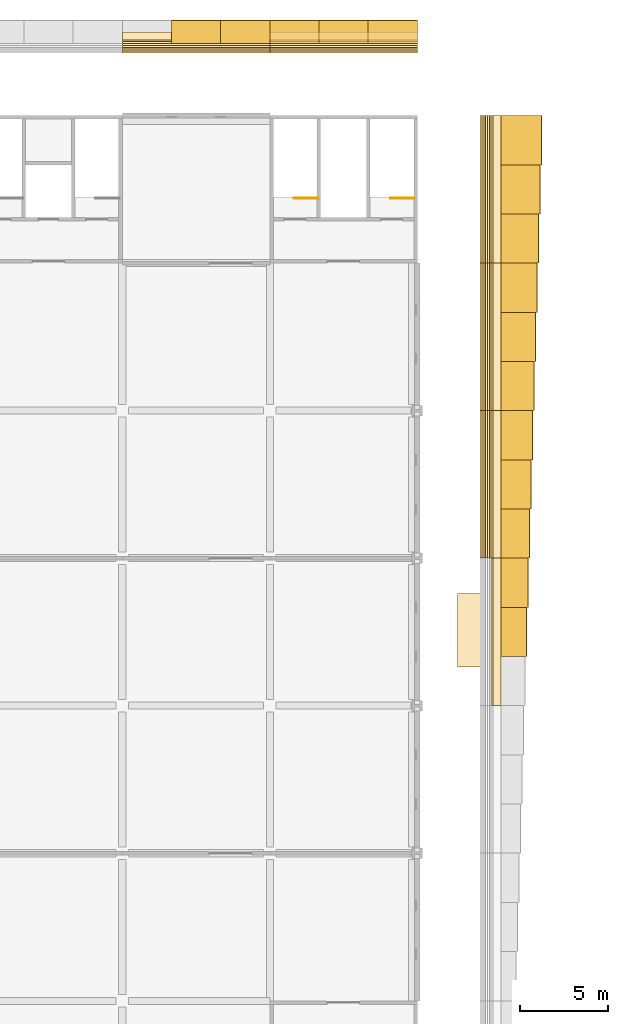
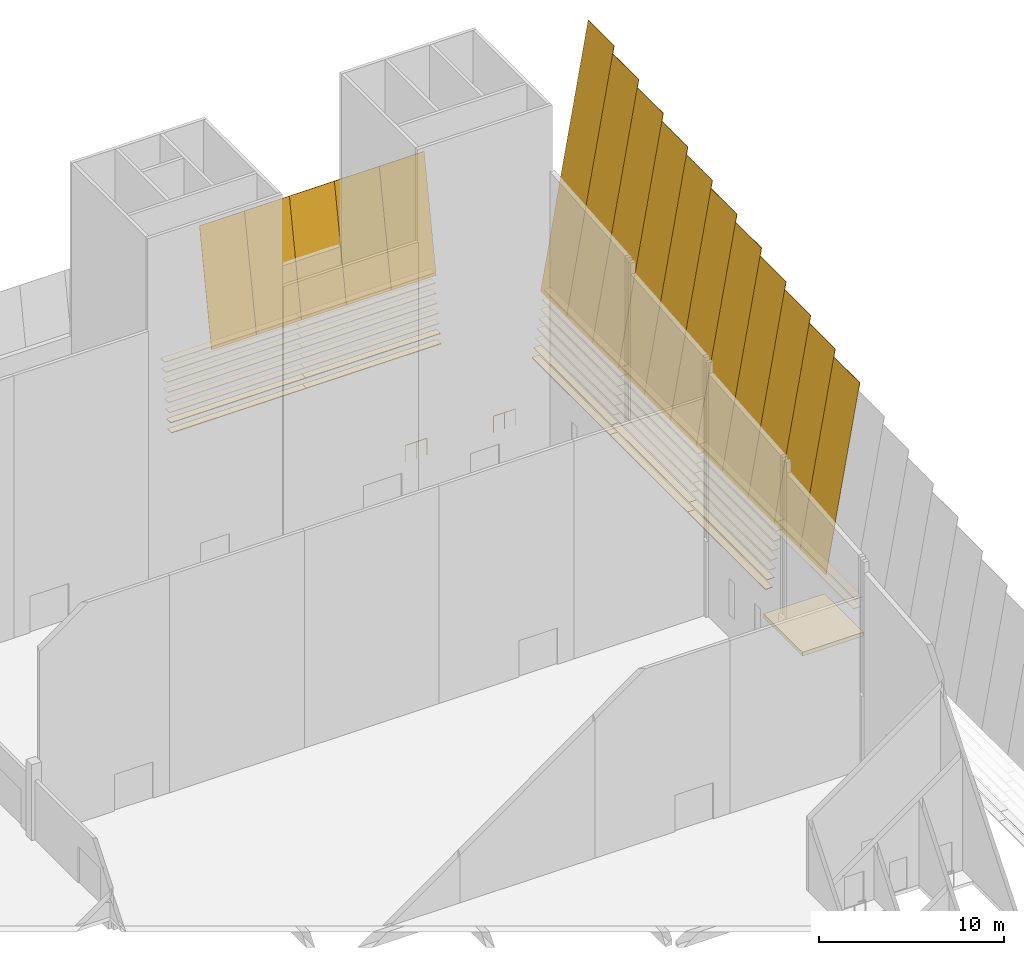
# One storey, part 59 of 59: 59 coverings, 2 railings.
"""IFC4 building model written with IfcOpenShell, lengths in metres."""

from ifc_helpers import new_model, si_unit, direction, frame, origin, origin_2d, place, context, subcontext, project, spatial, polyline, rectangle, circle, outline, extrude, material, layer, layer_set, material_profile, profile_set, type_object, element, save


model = new_model("IFC4")

# Units and contexts
model_context = context("Model", 3, precision=1e-05, world=origin(), true_north=direction((0.0, 1.0)))
body_context = subcontext(model_context, "Body", "Model", "MODEL_VIEW")
ifc_project = project(units=[si_unit("LENGTHUNIT", "METRE"), si_unit("AREAUNIT", "SQUARE_METRE"), si_unit("VOLUMEUNIT", "CUBIC_METRE"), si_unit("PLANEANGLEUNIT", "RADIAN"), si_unit("MASSUNIT", "GRAM", prefix="KILO")], contexts=[model_context])

# Site, building, storey
site_placement = place(None, origin())
site = spatial("IfcSite", under=ifc_project, at=site_placement, CompositionType="ELEMENT")
building_placement = place(site_placement, origin())
building = spatial("IfcBuilding", under=site, at=building_placement, Name="Almond Square Museum", CompositionType="ELEMENT")
storey_placement = place(building_placement, frame((0.0, 0.0, 25.0)))
storey = spatial("IfcBuildingStorey", under=building, at=storey_placement, Name="L04", CompositionType="ELEMENT", Elevation=25.0)

# Coverings
ifc_material_1 = material(Name="Timber deck and membrane roofing", Category="wood")
ifc_layer_1 = layer(ifc_material_1, 0.25)
ifc_layer_set_1 = layer_set([ifc_layer_1], Name="Timber deck and membrane roofing")
covering_type_1 = type_object("IfcCoveringType", Name="Head house cap, timber and membrane", PredefinedType="CLADDING", material=ifc_layer_set_1)
covering_1_placement = place(storey_placement, frame((153.0, 79.89990234375, 0.12744140625), z_axis=(0.0, 0.0, 1.0), x_axis=(1.0, 0.0, 0.0)))
element("IfcCovering", 1, at=covering_1_placement, inside=storey, type_object=covering_type_1, Name="Head house roof cap E1", PredefinedType="CLADDING", context=body_context, shape_type="SweptSolid", body=[
    extrude(rectangle(XDim=3.800048828125, YDim=4.199951171875, at=origin_2d()), origin(), (0.0, 0.0, 1.0), 0.25),
])
ifc_material_2 = material(Name="Cedar timber louvre board", Category="wood")
ifc_material_profile = material_profile(ifc_material_2, rectangle(XDim=0.449951171875, YDim=0.050048828125, at=origin_2d()))
ifc_profile_set = profile_set([ifc_material_profile], Name="Cedar timber louvre board")
covering_type_2 = type_object("IfcCoveringType", Name="Louvre board 450 x 50", PredefinedType="CLADDING", material=ifc_profile_set)
covering_2_placement = place(storey_placement, frame((132.0, 112.997802734375, 0.300048828125), z_axis=(1.0, 0.0, 0.0), x_axis=(0.0, 1.0, 0.0)))
element("IfcCovering", 2, at=covering_2_placement, inside=storey, type_object=covering_type_2, Name="Louvre board N31.04", PredefinedType="CLADDING", context=body_context, shape_type="SweptSolid", body=[
    extrude(rectangle(XDim=0.449951171875, YDim=0.050048828125, at=origin_2d()), origin(), (0.0, 0.0, 1.0), 8.39990234375),
])
covering_3_placement = place(storey_placement, frame((140.39990234375, 112.997802734375, 0.300048828125), z_axis=(1.0, 0.0, 0.0), x_axis=(0.0, 1.0, 0.0)))
element("IfcCovering", 3, at=covering_3_placement, inside=storey, type_object=covering_type_2, Name="Louvre board N31.05", PredefinedType="CLADDING", context=body_context, shape_type="SweptSolid", body=[
    extrude(rectangle(XDim=0.449951171875, YDim=0.050048828125, at=origin_2d()), origin(), (0.0, 0.0, 1.0), 8.400146484375),
])
covering_4_placement = place(storey_placement, frame((132.0, 113.103515625, 0.89990234375), z_axis=(1.0, 0.0, 0.0), x_axis=(0.0, 1.0, 0.0)))
element("IfcCovering", 4, at=covering_4_placement, inside=storey, type_object=covering_type_2, Name="Louvre board N32.04", PredefinedType="CLADDING", context=body_context, shape_type="SweptSolid", body=[
    extrude(rectangle(XDim=0.449951171875, YDim=0.050048828125, at=origin_2d()), origin(), (0.0, 0.0, 1.0), 8.39990234375),
])
covering_5_placement = place(storey_placement, frame((140.39990234375, 113.103515625, 0.89990234375), z_axis=(1.0, 0.0, 0.0), x_axis=(0.0, 1.0, 0.0)))
element("IfcCovering", 5, at=covering_5_placement, inside=storey, type_object=covering_type_2, Name="Louvre board N32.05", PredefinedType="CLADDING", context=body_context, shape_type="SweptSolid", body=[
    extrude(rectangle(XDim=0.449951171875, YDim=0.050048828125, at=origin_2d()), origin(), (0.0, 0.0, 1.0), 8.400146484375),
])
covering_6_placement = place(storey_placement, frame((132.0, 113.209228515625, 1.5), z_axis=(1.0, 0.0, 0.0), x_axis=(0.0, 1.0, 0.0)))
element("IfcCovering", 6, at=covering_6_placement, inside=storey, type_object=covering_type_2, Name="Louvre board N33.04", PredefinedType="CLADDING", context=body_context, shape_type="SweptSolid", body=[
    extrude(rectangle(XDim=0.449951171875, YDim=0.050048828125, at=origin_2d()), origin(), (0.0, 0.0, 1.0), 8.39990234375),
])
covering_7_placement = place(storey_placement, frame((140.39990234375, 113.209228515625, 1.5), z_axis=(1.0, 0.0, 0.0), x_axis=(0.0, 1.0, 0.0)))
element("IfcCovering", 7, at=covering_7_placement, inside=storey, type_object=covering_type_2, Name="Louvre board N33.05", PredefinedType="CLADDING", context=body_context, shape_type="SweptSolid", body=[
    extrude(rectangle(XDim=0.449951171875, YDim=0.050048828125, at=origin_2d()), origin(), (0.0, 0.0, 1.0), 8.400146484375),
])
covering_8_placement = place(storey_placement, frame((132.0, 113.315185546875, 2.10009765625), z_axis=(1.0, 0.0, 0.0), x_axis=(0.0, 1.0, 0.0)))
element("IfcCovering", 8, at=covering_8_placement, inside=storey, type_object=covering_type_2, Name="Louvre board N34.04", PredefinedType="CLADDING", context=body_context, shape_type="SweptSolid", body=[
    extrude(rectangle(XDim=0.449951171875, YDim=0.050048828125, at=origin_2d()), origin(), (0.0, 0.0, 1.0), 8.39990234375),
])
covering_9_placement = place(storey_placement, frame((140.39990234375, 113.315185546875, 2.10009765625), z_axis=(1.0, 0.0, 0.0), x_axis=(0.0, 1.0, 0.0)))
element("IfcCovering", 9, at=covering_9_placement, inside=storey, type_object=covering_type_2, Name="Louvre board N34.05", PredefinedType="CLADDING", context=body_context, shape_type="SweptSolid", body=[
    extrude(rectangle(XDim=0.449951171875, YDim=0.050048828125, at=origin_2d()), origin(), (0.0, 0.0, 1.0), 8.400146484375),
])
covering_10_placement = place(storey_placement, frame((132.0, 113.4208984375, 2.699951171875), z_axis=(1.0, 0.0, 0.0), x_axis=(0.0, 1.0, 0.0)))
element("IfcCovering", 10, at=covering_10_placement, inside=storey, type_object=covering_type_2, Name="Louvre board N35.04", PredefinedType="CLADDING", context=body_context, shape_type="SweptSolid", body=[
    extrude(rectangle(XDim=0.449951171875, YDim=0.050048828125, at=origin_2d()), origin(), (0.0, 0.0, 1.0), 8.39990234375),
])
covering_11_placement = place(storey_placement, frame((140.39990234375, 113.4208984375, 2.699951171875), z_axis=(1.0, 0.0, 0.0), x_axis=(0.0, 1.0, 0.0)))
element("IfcCovering", 11, at=covering_11_placement, inside=storey, type_object=covering_type_2, Name="Louvre board N35.05", PredefinedType="CLADDING", context=body_context, shape_type="SweptSolid", body=[
    extrude(rectangle(XDim=0.449951171875, YDim=0.050048828125, at=origin_2d()), origin(), (0.0, 0.0, 1.0), 8.400146484375),
])
covering_12_placement = place(storey_placement, frame((132.0, 113.526611328125, 3.300048828125), z_axis=(1.0, 0.0, 0.0), x_axis=(0.0, 1.0, 0.0)))
element("IfcCovering", 12, at=covering_12_placement, inside=storey, type_object=covering_type_2, Name="Louvre board N36.04", PredefinedType="CLADDING", context=body_context, shape_type="SweptSolid", body=[
    extrude(rectangle(XDim=0.449951171875, YDim=0.050048828125, at=origin_2d()), origin(), (0.0, 0.0, 1.0), 8.39990234375),
])
covering_13_placement = place(storey_placement, frame((140.39990234375, 113.526611328125, 3.300048828125), z_axis=(1.0, 0.0, 0.0), x_axis=(0.0, 1.0, 0.0)))
element("IfcCovering", 13, at=covering_13_placement, inside=storey, type_object=covering_type_2, Name="Louvre board N36.05", PredefinedType="CLADDING", context=body_context, shape_type="SweptSolid", body=[
    extrude(rectangle(XDim=0.449951171875, YDim=0.050048828125, at=origin_2d()), origin(), (0.0, 0.0, 1.0), 8.400146484375),
])
covering_14_placement = place(storey_placement, frame((132.0, 113.632568359375, 3.89990234375), z_axis=(1.0, 0.0, 0.0), x_axis=(0.0, 1.0, 0.0)))
element("IfcCovering", 14, at=covering_14_placement, inside=storey, type_object=covering_type_2, Name="Louvre board N37.04", PredefinedType="CLADDING", context=body_context, shape_type="SweptSolid", body=[
    extrude(rectangle(XDim=0.449951171875, YDim=0.050048828125, at=origin_2d()), origin(), (0.0, 0.0, 1.0), 8.39990234375),
])
covering_15_placement = place(storey_placement, frame((140.39990234375, 113.632568359375, 3.89990234375), z_axis=(1.0, 0.0, 0.0), x_axis=(0.0, 1.0, 0.0)))
element("IfcCovering", 15, at=covering_15_placement, inside=storey, type_object=covering_type_2, Name="Louvre board N37.05", PredefinedType="CLADDING", context=body_context, shape_type="SweptSolid", body=[
    extrude(rectangle(XDim=0.449951171875, YDim=0.050048828125, at=origin_2d()), origin(), (0.0, 0.0, 1.0), 8.400146484375),
])
covering_16_placement = place(storey_placement, frame((132.0, 113.73828125, 4.5), z_axis=(1.0, 0.0, 0.0), x_axis=(0.0, 1.0, 0.0)))
element("IfcCovering", 16, at=covering_16_placement, inside=storey, type_object=covering_type_2, Name="Louvre board N38.04", PredefinedType="CLADDING", context=body_context, shape_type="SweptSolid", body=[
    extrude(rectangle(XDim=0.449951171875, YDim=0.050048828125, at=origin_2d()), origin(), (0.0, 0.0, 1.0), 8.39990234375),
])
covering_17_placement = place(storey_placement, frame((140.39990234375, 113.73828125, 4.5), z_axis=(1.0, 0.0, 0.0), x_axis=(0.0, 1.0, 0.0)))
element("IfcCovering", 17, at=covering_17_placement, inside=storey, type_object=covering_type_2, Name="Louvre board N38.05", PredefinedType="CLADDING", context=body_context, shape_type="SweptSolid", body=[
    extrude(rectangle(XDim=0.449951171875, YDim=0.050048828125, at=origin_2d()), origin(), (0.0, 0.0, 1.0), 8.400146484375),
])
covering_18_placement = place(storey_placement, frame((152.59765625, 84.0, 0.300048828125), z_axis=(0.0, 1.0, 0.0), x_axis=(-1.0, 0.0, 0.0)))
element("IfcCovering", 18, at=covering_18_placement, inside=storey, type_object=covering_type_2, Name="Louvre board E05.05", PredefinedType="CLADDING", context=body_context, shape_type="SweptSolid", body=[
    extrude(rectangle(XDim=0.449951171875, YDim=0.050048828125, at=origin_2d()), origin(), (0.0, 0.0, 1.0), 8.39990234375),
])
covering_19_placement = place(storey_placement, frame((152.59765625, 92.39990234375, 0.300048828125), z_axis=(0.0, 1.0, 0.0), x_axis=(-1.0, 0.0, 0.0)))
element("IfcCovering", 19, at=covering_19_placement, inside=storey, type_object=covering_type_2, Name="Louvre board E05.06", PredefinedType="CLADDING", context=body_context, shape_type="SweptSolid", body=[
    extrude(rectangle(XDim=0.449951171875, YDim=0.050048828125, at=origin_2d()), origin(), (0.0, 0.0, 1.0), 8.400146484375),
])
for number, where, z_axis, x_axis, name in (
    (20, (152.59765625, 100.800048828125, 0.300048828125), (0.0, 1.0, 0.0), (-1.0, 0.0, 0.0), "Louvre board E05.07"),
    (21, (152.70361328125, 84.0, 0.89990234375), (0.0, 1.0, 0.0), (-1.0, 0.0, 0.0), "Louvre board E06.05"),
):
    element("IfcCovering", number, at=place(storey_placement, frame(where, z_axis=z_axis, x_axis=x_axis)), inside=storey, type_object=covering_type_2, Name=name, PredefinedType="CLADDING", context=body_context, shape_type="SweptSolid", body=[
        extrude(rectangle(XDim=0.449951171875, YDim=0.050048828125, at=origin_2d()), origin(), (0.0, 0.0, 1.0), 8.39990234375),
    ])
covering_20_placement = place(storey_placement, frame((152.70361328125, 92.39990234375, 0.89990234375), z_axis=(0.0, 1.0, 0.0), x_axis=(-1.0, 0.0, 0.0)))
element("IfcCovering", 22, at=covering_20_placement, inside=storey, type_object=covering_type_2, Name="Louvre board E06.06", PredefinedType="CLADDING", context=body_context, shape_type="SweptSolid", body=[
    extrude(rectangle(XDim=0.449951171875, YDim=0.050048828125, at=origin_2d()), origin(), (0.0, 0.0, 1.0), 8.400146484375),
])
for number, where, z_axis, x_axis, name in (
    (23, (152.70361328125, 100.800048828125, 0.89990234375), (0.0, 1.0, 0.0), (-1.0, 0.0, 0.0), "Louvre board E06.07"),
    (24, (152.809326171875, 84.0, 1.5), (0.0, 1.0, 0.0), (-1.0, 0.0, 0.0), "Louvre board E07.05"),
):
    element("IfcCovering", number, at=place(storey_placement, frame(where, z_axis=z_axis, x_axis=x_axis)), inside=storey, type_object=covering_type_2, Name=name, PredefinedType="CLADDING", context=body_context, shape_type="SweptSolid", body=[
        extrude(rectangle(XDim=0.449951171875, YDim=0.050048828125, at=origin_2d()), origin(), (0.0, 0.0, 1.0), 8.39990234375),
    ])
covering_21_placement = place(storey_placement, frame((152.809326171875, 92.39990234375, 1.5), z_axis=(0.0, 1.0, 0.0), x_axis=(-1.0, 0.0, 0.0)))
element("IfcCovering", 25, at=covering_21_placement, inside=storey, type_object=covering_type_2, Name="Louvre board E07.06", PredefinedType="CLADDING", context=body_context, shape_type="SweptSolid", body=[
    extrude(rectangle(XDim=0.449951171875, YDim=0.050048828125, at=origin_2d()), origin(), (0.0, 0.0, 1.0), 8.400146484375),
])
for number, where, z_axis, x_axis, name in (
    (26, (152.809326171875, 100.800048828125, 1.5), (0.0, 1.0, 0.0), (-1.0, 0.0, 0.0), "Louvre board E07.07"),
    (27, (152.9150390625, 84.0, 2.10009765625), (0.0, 1.0, 0.0), (-1.0, 0.0, 0.0), "Louvre board E08.05"),
):
    element("IfcCovering", number, at=place(storey_placement, frame(where, z_axis=z_axis, x_axis=x_axis)), inside=storey, type_object=covering_type_2, Name=name, PredefinedType="CLADDING", context=body_context, shape_type="SweptSolid", body=[
        extrude(rectangle(XDim=0.449951171875, YDim=0.050048828125, at=origin_2d()), origin(), (0.0, 0.0, 1.0), 8.39990234375),
    ])
covering_22_placement = place(storey_placement, frame((152.9150390625, 92.39990234375, 2.10009765625), z_axis=(0.0, 1.0, 0.0), x_axis=(-1.0, 0.0, 0.0)))
element("IfcCovering", 28, at=covering_22_placement, inside=storey, type_object=covering_type_2, Name="Louvre board E08.06", PredefinedType="CLADDING", context=body_context, shape_type="SweptSolid", body=[
    extrude(rectangle(XDim=0.449951171875, YDim=0.050048828125, at=origin_2d()), origin(), (0.0, 0.0, 1.0), 8.400146484375),
])
for number, where, z_axis, x_axis, name in (
    (29, (152.9150390625, 100.800048828125, 2.10009765625), (0.0, 1.0, 0.0), (-1.0, 0.0, 0.0), "Louvre board E08.07"),
    (30, (153.02099609375, 84.0, 2.699951171875), (0.0, 1.0, 0.0), (-1.0, 0.0, 0.0), "Louvre board E09.05"),
):
    element("IfcCovering", number, at=place(storey_placement, frame(where, z_axis=z_axis, x_axis=x_axis)), inside=storey, type_object=covering_type_2, Name=name, PredefinedType="CLADDING", context=body_context, shape_type="SweptSolid", body=[
        extrude(rectangle(XDim=0.449951171875, YDim=0.050048828125, at=origin_2d()), origin(), (0.0, 0.0, 1.0), 8.39990234375),
    ])
covering_23_placement = place(storey_placement, frame((153.02099609375, 92.39990234375, 2.699951171875), z_axis=(0.0, 1.0, 0.0), x_axis=(-1.0, 0.0, 0.0)))
element("IfcCovering", 31, at=covering_23_placement, inside=storey, type_object=covering_type_2, Name="Louvre board E09.06", PredefinedType="CLADDING", context=body_context, shape_type="SweptSolid", body=[
    extrude(rectangle(XDim=0.449951171875, YDim=0.050048828125, at=origin_2d()), origin(), (0.0, 0.0, 1.0), 8.400146484375),
])
for number, where, z_axis, x_axis, name in (
    (32, (153.02099609375, 100.800048828125, 2.699951171875), (0.0, 1.0, 0.0), (-1.0, 0.0, 0.0), "Louvre board E09.07"),
    (33, (153.126708984375, 84.0, 3.300048828125), (0.0, 1.0, 0.0), (-1.0, 0.0, 0.0), "Louvre board E10.05"),
):
    element("IfcCovering", number, at=place(storey_placement, frame(where, z_axis=z_axis, x_axis=x_axis)), inside=storey, type_object=covering_type_2, Name=name, PredefinedType="CLADDING", context=body_context, shape_type="SweptSolid", body=[
        extrude(rectangle(XDim=0.449951171875, YDim=0.050048828125, at=origin_2d()), origin(), (0.0, 0.0, 1.0), 8.39990234375),
    ])
covering_24_placement = place(storey_placement, frame((153.126708984375, 92.39990234375, 3.300048828125), z_axis=(0.0, 1.0, 0.0), x_axis=(-1.0, 0.0, 0.0)))
element("IfcCovering", 34, at=covering_24_placement, inside=storey, type_object=covering_type_2, Name="Louvre board E10.06", PredefinedType="CLADDING", context=body_context, shape_type="SweptSolid", body=[
    extrude(rectangle(XDim=0.449951171875, YDim=0.050048828125, at=origin_2d()), origin(), (0.0, 0.0, 1.0), 8.400146484375),
])
for number, where, z_axis, x_axis, name in (
    (35, (153.126708984375, 100.800048828125, 3.300048828125), (0.0, 1.0, 0.0), (-1.0, 0.0, 0.0), "Louvre board E10.07"),
    (36, (153.232421875, 75.60009765625, 3.89990234375), (0.0, 1.0, 0.0), (-1.0, 0.0, 0.0), "Louvre board E11.04"),
    (37, (153.232421875, 84.0, 3.89990234375), (0.0, 1.0, 0.0), (-1.0, 0.0, 0.0), "Louvre board E11.05"),
):
    element("IfcCovering", number, at=place(storey_placement, frame(where, z_axis=z_axis, x_axis=x_axis)), inside=storey, type_object=covering_type_2, Name=name, PredefinedType="CLADDING", context=body_context, shape_type="SweptSolid", body=[
        extrude(rectangle(XDim=0.449951171875, YDim=0.050048828125, at=origin_2d()), origin(), (0.0, 0.0, 1.0), 8.39990234375),
    ])
covering_25_placement = place(storey_placement, frame((153.232421875, 92.39990234375, 3.89990234375), z_axis=(0.0, 1.0, 0.0), x_axis=(-1.0, 0.0, 0.0)))
element("IfcCovering", 38, at=covering_25_placement, inside=storey, type_object=covering_type_2, Name="Louvre board E11.06", PredefinedType="CLADDING", context=body_context, shape_type="SweptSolid", body=[
    extrude(rectangle(XDim=0.449951171875, YDim=0.050048828125, at=origin_2d()), origin(), (0.0, 0.0, 1.0), 8.400146484375),
])
for number, where, z_axis, x_axis, name in (
    (39, (153.232421875, 100.800048828125, 3.89990234375), (0.0, 1.0, 0.0), (-1.0, 0.0, 0.0), "Louvre board E11.07"),
    (40, (153.33837890625, 75.60009765625, 4.5), (0.0, 1.0, 0.0), (-1.0, 0.0, 0.0), "Louvre board E12.04"),
    (41, (153.33837890625, 84.0, 4.5), (0.0, 1.0, 0.0), (-1.0, 0.0, 0.0), "Louvre board E12.05"),
):
    element("IfcCovering", number, at=place(storey_placement, frame(where, z_axis=z_axis, x_axis=x_axis)), inside=storey, type_object=covering_type_2, Name=name, PredefinedType="CLADDING", context=body_context, shape_type="SweptSolid", body=[
        extrude(rectangle(XDim=0.449951171875, YDim=0.050048828125, at=origin_2d()), origin(), (0.0, 0.0, 1.0), 8.39990234375),
    ])
covering_26_placement = place(storey_placement, frame((153.33837890625, 92.39990234375, 4.5), z_axis=(0.0, 1.0, 0.0), x_axis=(-1.0, 0.0, 0.0)))
element("IfcCovering", 42, at=covering_26_placement, inside=storey, type_object=covering_type_2, Name="Louvre board E12.06", PredefinedType="CLADDING", context=body_context, shape_type="SweptSolid", body=[
    extrude(rectangle(XDim=0.449951171875, YDim=0.050048828125, at=origin_2d()), origin(), (0.0, 0.0, 1.0), 8.400146484375),
])
covering_27_placement = place(storey_placement, frame((153.33837890625, 100.800048828125, 4.5), z_axis=(0.0, 1.0, 0.0), x_axis=(-1.0, 0.0, 0.0)))
element("IfcCovering", 43, at=covering_27_placement, inside=storey, type_object=covering_type_2, Name="Louvre board E12.07", PredefinedType="CLADDING", context=body_context, shape_type="SweptSolid", body=[
    extrude(rectangle(XDim=0.449951171875, YDim=0.050048828125, at=origin_2d()), origin(), (0.0, 0.0, 1.0), 8.39990234375),
])
ifc_material_3 = material(Name="Cedar timber sheathing panel", Category="wood")
ifc_layer_2 = layer(ifc_material_3, 0.030029296875)
ifc_layer_set_2 = layer_set([ifc_layer_2], Name="Cedar timber sheathing panel")
covering_type_3 = type_object("IfcCoveringType", Name="Louvre rain-screen backing panel 30", PredefinedType="CLADDING", material=ifc_layer_set_2)
covering_28_placement = place(storey_placement, frame((134.800048828125, 113.327880859375, 4.469970703125), z_axis=(0.0, -0.984808802053, 0.173642228156), x_axis=(1.0, 0.0, 0.0)))
element("IfcCovering", 44, at=covering_28_placement, inside=storey, type_object=covering_type_3, Name="Louvre rain-screen backing panel N11.07", PredefinedType="CLADDING", context=body_context, shape_type="SweptSolid", body=[
    extrude(outline(polyline([(0.0, 0.0), (2.800048828125, 0.0), (2.800048828125, 7.4939693245436825), (0.0, 7.4939693245436825), (0.0, 0.0)])), frame((0.0, 0.0, -0.01513671875)), (0.0, 0.0, 1.0), 0.030029296875),
])
covering_29_placement = place(storey_placement, frame((137.60009765625, 113.327880859375, 4.469970703125), z_axis=(0.0, -0.984808802053, 0.173642228156), x_axis=(1.0, 0.0, 0.0)))
element("IfcCovering", 45, at=covering_29_placement, inside=storey, type_object=covering_type_3, Name="Louvre rain-screen backing panel N12.07", PredefinedType="CLADDING", context=body_context, shape_type="SweptSolid", body=[
    extrude(outline(polyline([(0.0, 0.0), (2.7998046875, 0.0), (2.7998046875, 7.493969324543682), (0.0, 7.493969324543682), (0.0, 0.0)])), frame((0.0, 0.0, -0.01513671875)), (0.0, 0.0, 1.0), 0.030029296875),
])
for number, where, z_axis, x_axis, name in (
    (46, (140.39990234375, 113.327880859375, 4.469970703125), (0.0, -0.984808802053, 0.173642228156), (1.0, 0.0, 0.0), "Louvre rain-screen backing panel N13.07"),
    (47, (143.199951171875, 113.327880859375, 4.469970703125), (0.0, -0.984808802053, 0.173642228156), (1.0, 0.0, 0.0), "Louvre rain-screen backing panel N14.07"),
    (48, (146.0, 113.327880859375, 4.469970703125), (0.0, -0.984808802053, 0.173642228156), (1.0, 0.0, 0.0), "Louvre rain-screen backing panel N15.07"),
):
    element("IfcCovering", number, at=place(storey_placement, frame(where, z_axis=z_axis, x_axis=x_axis)), inside=storey, type_object=covering_type_3, Name=name, PredefinedType="CLADDING", context=body_context, shape_type="SweptSolid", body=[
        extrude(outline(polyline([(0.0, 0.0), (2.800048828125, 0.0), (2.800048828125, 7.4939693245436825), (0.0, 7.4939693245436825), (0.0, 0.0)])), frame((0.0, 0.0, -0.01513671875)), (0.0, 0.0, 1.0), 0.030029296875),
    ])
covering_30_placement = place(storey_placement, frame((152.927978515625, 78.39990234375, 4.469970703125), z_axis=(0.984808504033, 0.0, -0.173643918362), x_axis=(0.0, 1.0, 0.0)))
element("IfcCovering", 49, at=covering_30_placement, inside=storey, type_object=covering_type_3, Name="Louvre rain-screen backing panel E11.07", PredefinedType="CLADDING", context=body_context, shape_type="SweptSolid", body=[
    extrude(outline(polyline([(0.0, 0.0), (2.800048828125, 0.0), (2.800048828125, 12.113960827681614), (0.0, 12.113960827681614), (0.0, 0.0)])), frame((0.0, 0.0, -0.01513671875)), (0.0, 0.0, 1.0), 0.030029296875),
])
covering_31_placement = place(storey_placement, frame((152.927978515625, 81.199951171875, 4.469970703125), z_axis=(0.984808104462, 0.0, -0.173646184483), x_axis=(0.0, 1.0, 0.0)))
element("IfcCovering", 50, at=covering_31_placement, inside=storey, type_object=covering_type_3, Name="Louvre rain-screen backing panel E12.07", PredefinedType="CLADDING", context=body_context, shape_type="SweptSolid", body=[
    extrude(outline(polyline([(0.0, 0.0), (2.800048828125, 0.0), (2.800048828125, 12.611514688724418), (0.0, 12.611514688724418), (0.0, 0.0)])), frame((0.0, 0.0, -0.01513671875)), (0.0, 0.0, 1.0), 0.030029296875),
])
covering_32_placement = place(storey_placement, frame((152.927978515625, 84.0, 4.469970703125), z_axis=(0.984810919921, 0.0, -0.173630216275), x_axis=(0.0, 1.0, 0.0)))
element("IfcCovering", 51, at=covering_32_placement, inside=storey, type_object=covering_type_3, Name="Louvre rain-screen backing panel E13.07", PredefinedType="CLADDING", context=body_context, shape_type="SweptSolid", body=[
    extrude(outline(polyline([(0.0, 0.0), (2.800048828125, 0.0), (2.800048828125, 13.109026157434535), (0.0, 13.109026157434535), (0.0, 0.0)])), frame((0.0, 0.0, -0.01513671875)), (0.0, 0.0, 1.0), 0.030029296875),
])
covering_33_placement = place(storey_placement, frame((152.927978515625, 86.800048828125, 4.469970703125), z_axis=(0.984810461261, 0.0, -0.173632817724), x_axis=(0.0, 1.0, 0.0)))
element("IfcCovering", 52, at=covering_33_placement, inside=storey, type_object=covering_type_3, Name="Louvre rain-screen backing panel E14.07", PredefinedType="CLADDING", context=body_context, shape_type="SweptSolid", body=[
    extrude(outline(polyline([(0.0, 0.0), (2.800048828125, 0.0), (2.800048828125, 13.606580018039491), (0.0, 13.606580018039491), (0.0, 0.0)])), frame((0.0, 0.0, -0.01513671875)), (0.0, 0.0, 1.0), 0.030029296875),
])
covering_34_placement = place(storey_placement, frame((152.927978515625, 89.60009765625, 4.469970703125), z_axis=(0.984810034955, 0.0, -0.173635235629), x_axis=(0.0, 1.0, 0.0)))
element("IfcCovering", 53, at=covering_34_placement, inside=storey, type_object=covering_type_3, Name="Louvre rain-screen backing panel E15.07", PredefinedType="CLADDING", context=body_context, shape_type="SweptSolid", body=[
    extrude(outline(polyline([(0.0, 0.0), (2.7998046875, 0.0), (2.7998046875, 14.104133878732696), (0.0, 14.104133878732696), (0.0, 0.0)])), frame((0.0, 0.0, -0.01513671875)), (0.0, 0.0, 1.0), 0.030029296875),
])
covering_35_placement = place(storey_placement, frame((152.927978515625, 92.39990234375, 4.469970703125), z_axis=(0.984809637697, 0.0, -0.173637488752), x_axis=(0.0, 1.0, 0.0)))
element("IfcCovering", 54, at=covering_35_placement, inside=storey, type_object=covering_type_3, Name="Louvre rain-screen backing panel E16.07", PredefinedType="CLADDING", context=body_context, shape_type="SweptSolid", body=[
    extrude(outline(polyline([(0.0, 0.0), (2.800048828125, 0.0), (2.800048828125, 14.601687739505126), (0.0, 14.601687739505126), (0.0, 0.0)])), frame((0.0, 0.0, -0.01513671875)), (0.0, 0.0, 1.0), 0.030029296875),
])
covering_36_placement = place(storey_placement, frame((152.927978515625, 95.199951171875, 4.469970703125), z_axis=(0.984809266615, 0.0, -0.173639593383), x_axis=(0.0, 1.0, 0.0)))
element("IfcCovering", 55, at=covering_36_placement, inside=storey, type_object=covering_type_3, Name="Louvre rain-screen backing panel E17.07", PredefinedType="CLADDING", context=body_context, shape_type="SweptSolid", body=[
    extrude(outline(polyline([(0.0, 0.0), (2.800048828125, 0.0), (2.800048828125, 15.09924160034895), (0.0, 15.09924160034895), (0.0, 0.0)])), frame((0.0, 0.0, -0.01513671875)), (0.0, 0.0, 1.0), 0.030029296875),
])
covering_37_placement = place(storey_placement, frame((152.927978515625, 98.0, 4.469970703125), z_axis=(0.984808919204, 0.0, -0.173641563734), x_axis=(0.0, 1.0, 0.0)))
element("IfcCovering", 56, at=covering_37_placement, inside=storey, type_object=covering_type_3, Name="Louvre rain-screen backing panel E18.07", PredefinedType="CLADDING", context=body_context, shape_type="SweptSolid", body=[
    extrude(outline(polyline([(0.0, 0.0), (2.800048828125, 0.0), (2.800048828125, 15.596795461257333), (0.0, 15.596795461257333), (0.0, 0.0)])), frame((0.0, 0.0, -0.01513671875)), (0.0, 0.0, 1.0), 0.030029296875),
])
covering_38_placement = place(storey_placement, frame((152.927978515625, 100.800048828125, 4.469970703125), z_axis=(0.984808593271, 0.0, -0.173643412257), x_axis=(0.0, 1.0, 0.0)))
element("IfcCovering", 57, at=covering_38_placement, inside=storey, type_object=covering_type_3, Name="Louvre rain-screen backing panel E19.07", PredefinedType="CLADDING", context=body_context, shape_type="SweptSolid", body=[
    extrude(outline(polyline([(0.0, 0.0), (2.800048828125, 0.0), (2.800048828125, 16.094349322224293), (0.0, 16.094349322224293), (0.0, 0.0)])), frame((0.0, 0.0, -0.01513671875)), (0.0, 0.0, 1.0), 0.030029296875),
])
covering_39_placement = place(storey_placement, frame((152.927978515625, 103.60009765625, 4.469970703125), z_axis=(0.984808286882, 0.0, -0.173645149915), x_axis=(0.0, 1.0, 0.0)))
element("IfcCovering", 58, at=covering_39_placement, inside=storey, type_object=covering_type_3, Name="Louvre rain-screen backing panel E20.07", PredefinedType="CLADDING", context=body_context, shape_type="SweptSolid", body=[
    extrude(outline(polyline([(0.0, 0.0), (2.7998046875, 0.0), (2.7998046875, 16.591903183244554), (0.0, 16.591903183244554), (0.0, 0.0)])), frame((0.0, 0.0, -0.01513671875)), (0.0, 0.0, 1.0), 0.030029296875),
])
covering_40_placement = place(storey_placement, frame((152.927978515625, 106.39990234375, 4.469970703125), z_axis=(0.984807998331, 0.0, -0.173646786389), x_axis=(0.0, 1.0, 0.0)))
element("IfcCovering", 59, at=covering_40_placement, inside=storey, type_object=covering_type_3, Name="Louvre rain-screen backing panel E21.07", PredefinedType="CLADDING", context=body_context, shape_type="SweptSolid", body=[
    extrude(outline(polyline([(0.0, 0.0), (2.800048828125, 0.0), (2.800048828125, 17.089457044313466), (0.0, 17.089457044313466), (0.0, 0.0)])), frame((0.0, 0.0, -0.01513671875)), (0.0, 0.0, 1.0), 0.030029296875),
])

# Railings
ifc_material_4 = material(Name="Stainless steel and laminated glass", Category="steel")
railing_type = type_object("IfcRailingType", Name="Stair guard 1100 steel and glass", PredefinedType="GUARDRAIL", material=ifc_material_4)
for number, where, name in (
    (60, (143.1298828125, 104.5, 0.0), "L04 ST-05 top well guard 1"),
    (61, (148.6298828125, 104.5, 0.0), "L04 ST-06 top well guard 1"),
):
    element("IfcRailing", number, at=place(storey_placement, frame(where)), inside=storey, type_object=railing_type, Name=name, PredefinedType="GUARDRAIL", context=body_context, shape_type="SweptSolid", body=[
        extrude(circle(Radius=0.02392578125, at=origin_2d()), frame((0.0, 0.0, 1.076171875), z_axis=(-1.0, 0.0, 0.0), x_axis=(0.0, -1.0, 0.0)), (0.0, 0.0, 1.0), 1.349853515625),
        extrude(circle(Radius=0.02099609375, at=origin_2d()), origin(), (0.0, 0.0, 1.0), 1.052001953125),
        extrude(circle(Radius=0.02099609375, at=origin_2d()), frame((-0.6748046875, 0.0, 0.0)), (0.0, 0.0, 1.0), 1.052001953125),
        extrude(circle(Radius=0.02099609375, at=origin_2d()), frame((-1.349853515625, 0.0, 0.0)), (0.0, 0.0, 1.0), 1.052001953125),
    ])

save(model, "model.ifc")
